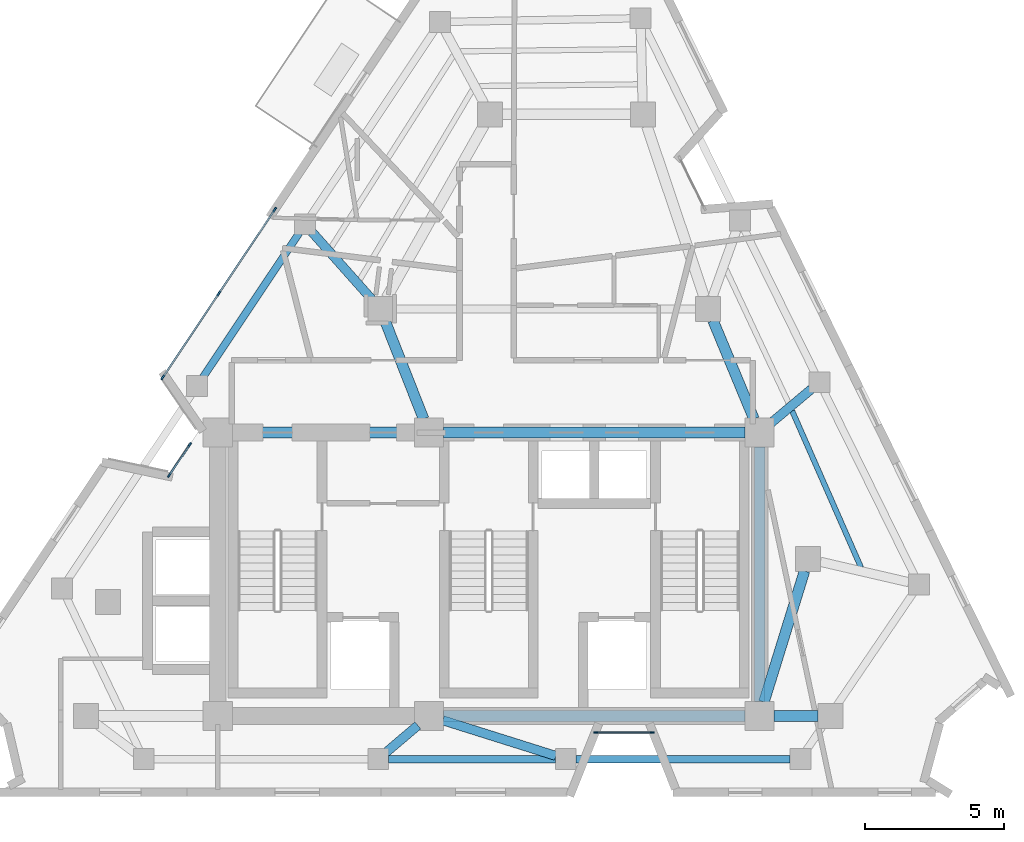
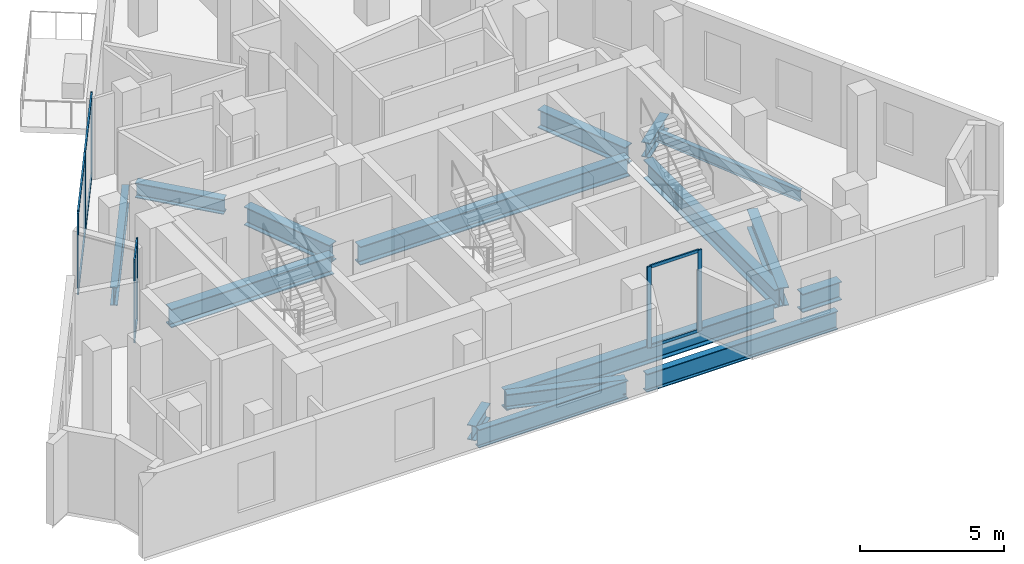
# One storey, part 2 of 8: 16 beams, 15 members, 3 elements without a shape of their own.
"""IFC4 building model written with IfcOpenShell, lengths in metres."""

from ifc_helpers import new_model, si_unit, direction, frame, origin, origin_2d, place, context, subcontext, project, spatial, rectangle, i_section, extrude, material, layer, layer_set, material_profile, profile_set, type_object, element, aggregate, save


model = new_model("IFC4")

# Units and contexts
model_context = context("Model", 3, precision=1e-05, world=origin(), true_north=direction((0.0, 1.0)))
body_context = subcontext(model_context, "Body", "Model", "MODEL_VIEW")
ifc_project = project(units=[si_unit("LENGTHUNIT", "METRE"), si_unit("AREAUNIT", "SQUARE_METRE"), si_unit("VOLUMEUNIT", "CUBIC_METRE"), si_unit("PLANEANGLEUNIT", "RADIAN"), si_unit("MASSUNIT", "GRAM", prefix="KILO")], contexts=[model_context])

# Site, building, storey
site_placement = place(None, origin())
site = spatial("IfcSite", under=ifc_project, at=site_placement, CompositionType="ELEMENT")
building_placement = place(site_placement, origin())
building = spatial("IfcBuilding", under=site, at=building_placement, Name="Almagre Mirador Tower", CompositionType="ELEMENT")
storey_placement = place(building_placement, frame((0.0, 0.0, 285.75)))
storey = spatial("IfcBuildingStorey", under=building, at=storey_placement, Name="L74", CompositionType="ELEMENT", Elevation=285.75)

# Beams
ifc_material_1 = material(Name="Steel ASTM A992 Grade 50", Category="steel")
ifc_material_profile_1 = material_profile(ifc_material_1, i_section(OverallWidth=0.19091796875, OverallDepth=0.4599609375, WebThickness=0.010009765625, FlangeThickness=0.01611328125, FilletRadius=0.01611328125, at=origin_2d()), Name="W18X55")
ifc_profile_set_1 = profile_set([ifc_material_profile_1], Name="Steel ASTM A992 Grade 50")
beam_type_1 = type_object("IfcBeamType", Name="BM-JST-W18X55", PredefinedType="JOIST", material=ifc_profile_set_1)
beam_1_placement = place(storey_placement, frame((50.698974609375, 9.896240234375, -0.47998046875), z_axis=(-0.402662796077, 0.915348388678, 0.0), x_axis=(-0.915348388678, -0.402662796077, 0.0)))
element("IfcBeam", 1, at=beam_1_placement, inside=storey, type_object=beam_type_1, Name="L74 secondary floor joist PC05-PC06.2", PredefinedType="JOIST", context=body_context, shape_type="SweptSolid", body=[
    extrude(i_section(OverallWidth=0.19091796875, OverallDepth=0.4599609375, WebThickness=0.010009765625, FlangeThickness=0.01611328125, FilletRadius=0.01611328125, at=origin_2d()), origin(), (0.0, 0.0, 1.0), 6.151123046875),
])
ifc_material_2 = material(Name="Steel ASTM A992 Grade 50", Category="steel")
ifc_material_profile_2 = material_profile(ifc_material_2, i_section(OverallWidth=0.26708984375, OverallDepth=0.779052734375, WebThickness=0.0166015625, FlangeThickness=0.030029296875, FilletRadius=0.02392578125, at=origin_2d()), Name="W30X148")
ifc_profile_set_2 = profile_set([ifc_material_profile_2], Name="Steel ASTM A992 Grade 50")
beam_type_2 = type_object("IfcBeamType", Name="BM-SPN-W30X148", PredefinedType="SPANDREL", material=ifc_profile_set_2)
beam_2_placement = place(storey_placement, frame((33.698974609375, 3.0, -0.639404296875), z_axis=(1.0, 0.0, 0.0), x_axis=(0.0, 1.0, 0.0)))
element("IfcBeam", 2, at=beam_2_placement, inside=storey, type_object=beam_type_2, Name="L74 perimeter spandrel beam PC02-PC03", PredefinedType="SPANDREL", context=body_context, shape_type="SweptSolid", body=[
    extrude(i_section(OverallWidth=0.26708984375, OverallDepth=0.779052734375, WebThickness=0.0166015625, FlangeThickness=0.030029296875, FilletRadius=0.02392578125, at=origin_2d()), origin(), (0.0, 0.0, 1.0), 6.001953125),
])
beam_3_placement = place(storey_placement, frame((40.450927734375, 3.0, -0.639404296875), z_axis=(1.0, 0.0, 0.0), x_axis=(0.0, 1.0, 0.0)))
element("IfcBeam", 3, at=beam_3_placement, inside=storey, type_object=beam_type_2, Name="L74 perimeter spandrel beam PC03-PC04", PredefinedType="SPANDREL", context=body_context, shape_type="SweptSolid", body=[
    extrude(i_section(OverallWidth=0.26708984375, OverallDepth=0.779052734375, WebThickness=0.0166015625, FlangeThickness=0.030029296875, FilletRadius=0.02392578125, at=origin_2d()), origin(), (0.0, 0.0, 1.0), 7.690185546875),
])
beam_4_placement = place(storey_placement, frame((30.48388671875, 21.93408203125, -0.639404296875), z_axis=(-0.555240722479, -0.831689689789, 0.0), x_axis=(0.831689689789, -0.555240722479, 0.0)))
element("IfcBeam", 4, at=beam_4_placement, inside=storey, type_object=beam_type_2, Name="L74 perimeter spandrel beam PC10-PC11", PredefinedType="SPANDREL", context=body_context, shape_type="SweptSolid", body=[
    extrude(i_section(OverallWidth=0.26708984375, OverallDepth=0.779052734375, WebThickness=0.0166015625, FlangeThickness=0.030029296875, FilletRadius=0.02392578125, at=origin_2d()), origin(), (0.0, 0.0, 1.0), 6.252685546875),
])
ifc_material_3 = material(Name="Steel ASTM A992 Grade 50", Category="steel")
ifc_material_profile_3 = material_profile(ifc_material_3, i_section(OverallWidth=0.330078125, OverallDepth=0.635009765625, WebThickness=0.017822265625, FlangeThickness=0.031005859375, FilletRadius=0.02001953125, at=origin_2d()), Name="W24X162")
ifc_profile_set_3 = profile_set([ifc_material_profile_3], Name="Steel ASTM A992 Grade 50")
beam_type_3 = type_object("IfcBeamType", Name="BM-STL-W24X162", PredefinedType="BEAM", material=ifc_profile_set_3)
beam_5_placement = place(storey_placement, frame((33.60986328125, 3.24267578125, -0.5673828125), z_axis=(0.762394394192, 0.647112654569, 0.0), x_axis=(-0.647112654569, 0.762394394192, 0.0)))
element("IfcBeam", 5, at=beam_5_placement, inside=storey, type_object=beam_type_3, Name="L74 radial floor girder PC02-CC2", PredefinedType="BEAM", context=body_context, shape_type="SweptSolid", body=[
    extrude(i_section(OverallWidth=0.330078125, OverallDepth=0.635009765625, WebThickness=0.017822265625, FlangeThickness=0.031005859375, FilletRadius=0.02001953125, at=origin_2d()), origin(), (0.0, 0.0, 1.0), 1.4951171875),
])
beam_6_placement = place(storey_placement, frame((39.71826171875, 3.112548828125, -0.5673828125), z_axis=(-0.953895402065, 0.300139237553, 0.0), x_axis=(-0.300139237553, -0.953895402065, 0.0)))
element("IfcBeam", 6, at=beam_6_placement, inside=storey, type_object=beam_type_3, Name="L74 radial floor girder PC03-CC2", PredefinedType="BEAM", context=body_context, shape_type="SweptSolid", body=[
    extrude(i_section(OverallWidth=0.330078125, OverallDepth=0.635009765625, WebThickness=0.017822265625, FlangeThickness=0.031005859375, FilletRadius=0.02001953125, at=origin_2d()), origin(), (0.0, 0.0, 1.0), 4.263916015625),
])
beam_7_placement = place(storey_placement, frame((48.917724609375, 16.31689453125, -0.5673828125), z_axis=(-0.766114512284, -0.642704095263, 0.0), x_axis=(0.642704095263, -0.766114512284, 0.0)))
element("IfcBeam", 7, at=beam_7_placement, inside=storey, type_object=beam_type_3, Name="L74 radial floor girder PC06-CC6", PredefinedType="BEAM", context=body_context, shape_type="SweptSolid", body=[
    extrude(i_section(OverallWidth=0.330078125, OverallDepth=0.635009765625, WebThickness=0.017822265625, FlangeThickness=0.031005859375, FilletRadius=0.02001953125, at=origin_2d()), origin(), (0.0, 0.0, 1.0), 1.9130859375),
])
beam_8_placement = place(storey_placement, frame((30.941162109375, 21.9658203125, -0.5673828125), z_axis=(0.664433759144, -0.747347161438, 0.0), x_axis=(0.747347161438, 0.664433759144, 0.0)))
element("IfcBeam", 8, at=beam_8_placement, inside=storey, type_object=beam_type_3, Name="L74 radial floor girder PC10-MC8", PredefinedType="BEAM", context=body_context, shape_type="SweptSolid", body=[
    extrude(i_section(OverallWidth=0.330078125, OverallDepth=0.635009765625, WebThickness=0.017822265625, FlangeThickness=0.031005859375, FilletRadius=0.02001953125, at=origin_2d()), origin(), (0.0, 0.0, 1.0), 3.250732421875),
])
ifc_material_4 = material(Name="Steel ASTM A992 Grade 50", Category="steel")
ifc_material_profile_4 = material_profile(ifc_material_4, i_section(OverallWidth=0.384033203125, OverallDepth=0.784912109375, WebThickness=0.019775390625, FlangeThickness=0.033447265625, FilletRadius=0.02392578125, at=origin_2d()), Name="W30X211")
ifc_profile_set_4 = profile_set([ifc_material_profile_4], Name="Steel ASTM A992 Grade 50")
beam_type_4 = type_object("IfcBeamType", Name="BM-STL-W30X211", PredefinedType="BEAM", material=ifc_profile_set_4)
beam_9_placement = place(storey_placement, frame((35.675048828125, 4.550048828125, -0.642578125), z_axis=(1.0, 0.0, 0.0), x_axis=(0.0, 1.0, 0.0)))
element("IfcBeam", 9, at=beam_9_placement, inside=storey, type_object=beam_type_4, Name="L74 core tie girder CC2-CC3", PredefinedType="BEAM", context=body_context, shape_type="SweptSolid", body=[
    extrude(i_section(OverallWidth=0.384033203125, OverallDepth=0.784912109375, WebThickness=0.019775390625, FlangeThickness=0.033447265625, FilletRadius=0.02392578125, at=origin_2d()), origin(), (0.0, 0.0, 1.0), 10.849853515625),
])
beam_10_placement = place(storey_placement, frame((28.074951171875, 14.75, -0.642578125), z_axis=(1.0, 0.0, 0.0), x_axis=(0.0, 1.0, 0.0)))
element("IfcBeam", 10, at=beam_10_placement, inside=storey, type_object=beam_type_4, Name="L74 core tie girder CC4-CC5", PredefinedType="BEAM", context=body_context, shape_type="SweptSolid", body=[
    extrude(i_section(OverallWidth=0.384033203125, OverallDepth=0.784912109375, WebThickness=0.019775390625, FlangeThickness=0.033447265625, FilletRadius=0.02392578125, at=origin_2d()), origin(), (0.0, 0.0, 1.0), 6.550048828125),
])
beam_11_placement = place(storey_placement, frame((35.675048828125, 14.75, -0.642578125), z_axis=(1.0, 0.0, 0.0), x_axis=(0.0, 1.0, 0.0)))
element("IfcBeam", 11, at=beam_11_placement, inside=storey, type_object=beam_type_4, Name="L74 core tie girder CC5-CC6", PredefinedType="BEAM", context=body_context, shape_type="SweptSolid", body=[
    extrude(i_section(OverallWidth=0.384033203125, OverallDepth=0.784912109375, WebThickness=0.019775390625, FlangeThickness=0.033447265625, FilletRadius=0.02392578125, at=origin_2d()), origin(), (0.0, 0.0, 1.0), 10.849853515625),
])
beam_12_placement = place(storey_placement, frame((47.050048828125, 5.074951171875, -0.642578125), z_axis=(0.0, 1.0, 0.0), x_axis=(-1.0, 0.0, 0.0)))
element("IfcBeam", 12, at=beam_12_placement, inside=storey, type_object=beam_type_4, Name="L74 core tie girder CC3-CC6", PredefinedType="BEAM", context=body_context, shape_type="SweptSolid", body=[
    extrude(i_section(OverallWidth=0.384033203125, OverallDepth=0.784912109375, WebThickness=0.019775390625, FlangeThickness=0.033447265625, FilletRadius=0.02392578125, at=origin_2d()), origin(), (0.0, 0.0, 1.0), 9.150146484375),
])
beam_13_placement = place(storey_placement, frame((49.14990234375, 4.550048828125, -0.642578125), z_axis=(-1.0, 0.0, 0.0), x_axis=(0.0, -1.0, 0.0)))
element("IfcBeam", 13, at=beam_13_placement, inside=storey, type_object=beam_type_4, Name="L74 core tie girder MC2-CC3", PredefinedType="BEAM", context=body_context, shape_type="SweptSolid", body=[
    extrude(i_section(OverallWidth=0.384033203125, OverallDepth=0.784912109375, WebThickness=0.019775390625, FlangeThickness=0.033447265625, FilletRadius=0.02392578125, at=origin_2d()), origin(), (0.0, 0.0, 1.0), 1.574951171875),
])
beam_14_placement = place(storey_placement, frame((48.6669921875, 9.77001953125, -0.642578125), z_axis=(-0.295901717967, -0.955218390372, 0.0), x_axis=(0.955218390372, -0.295901717967, 0.0)))
element("IfcBeam", 14, at=beam_14_placement, inside=storey, type_object=beam_type_4, Name="L74 core tie girder MC3-CC3", PredefinedType="BEAM", context=body_context, shape_type="SweptSolid", body=[
    extrude(i_section(OverallWidth=0.384033203125, OverallDepth=0.784912109375, WebThickness=0.019775390625, FlangeThickness=0.033447265625, FilletRadius=0.02392578125, at=origin_2d()), origin(), (0.0, 0.0, 1.0), 4.939697265625),
])
beam_15_placement = place(storey_placement, frame((45.372802734375, 18.784423828125, -0.642578125), z_axis=(0.383862140668, -0.923390414159, 0.0), x_axis=(0.923390414159, 0.383862140668, 0.0)))
element("IfcBeam", 15, at=beam_15_placement, inside=storey, type_object=beam_type_4, Name="L74 core tie girder MC5-CC6", PredefinedType="BEAM", context=body_context, shape_type="SweptSolid", body=[
    extrude(i_section(OverallWidth=0.384033203125, OverallDepth=0.784912109375, WebThickness=0.019775390625, FlangeThickness=0.033447265625, FilletRadius=0.02392578125, at=origin_2d()), origin(), (0.0, 0.0, 1.0), 3.843994140625),
])
beam_16_placement = place(storey_placement, frame((33.564697265625, 18.78125, -0.642578125), z_axis=(0.365999579355, -0.93061501595, 0.0), x_axis=(0.93061501595, 0.365999579355, 0.0)))
element("IfcBeam", 16, at=beam_16_placement, inside=storey, type_object=beam_type_4, Name="L74 core tie girder MC8-CC5", PredefinedType="BEAM", context=body_context, shape_type="SweptSolid", body=[
    extrude(i_section(OverallWidth=0.384033203125, OverallDepth=0.784912109375, WebThickness=0.019775390625, FlangeThickness=0.033447265625, FilletRadius=0.02392578125, at=origin_2d()), origin(), (0.0, 0.0, 1.0), 3.806884765625),
])

# Curtain wall, members
ifc_material_5 = material(Name="Black anodized aluminium", Category="aluminium")
ifc_layer_1 = layer(ifc_material_5, 0.169921875)
ifc_layer_set_1 = layer_set([ifc_layer_1], Name="Black anodized aluminium")
curtain_wall_type_1 = type_object("IfcCurtainWallType", Name="CW-CRS-SYS", PredefinedType="NOTDEFINED", material=ifc_layer_set_1)
curtain_wall_1_placement = place(storey_placement, origin())
curtain_wall_1 = element("IfcCurtainWall", 17, at=curtain_wall_1_placement, inside=storey, type_object=curtain_wall_type_1, Name="L74 vertical crease curtain wall 01", PredefinedType="NOTDEFINED")
ifc_material_6 = material(Name="Black anodized aluminium", Category="aluminium")
ifc_material_profile_5 = material_profile(ifc_material_6, rectangle(XDim=0.06005859375, YDim=0.14990234375, at=origin_2d()), Name="CWM60X150")
ifc_profile_set_5 = profile_set([ifc_material_profile_5], Name="Black anodized aluminium")
member_type_1 = type_object("IfcMemberType", Name="MBR-CWM60X150", PredefinedType="MULLION", material=ifc_profile_set_5)
member_1_placement = place(storey_placement, frame((25.797607421875, 13.202880859375, 0.0), z_axis=(0.0, 0.0, 1.0), x_axis=(-0.83177636433, 0.555110871577, 0.0)))
member_1 = element("IfcMember", 18, at=member_1_placement, type_object=member_type_1, Name="CW-4 mullion 1", PredefinedType="MULLION", context=body_context, shape_type="SweptSolid", body=[
    extrude(rectangle(XDim=0.06005859375, YDim=0.14990234375, at=origin_2d()), origin(), (0.0, 0.0, 1.0), 3.449951171875),
])
member_2_placement = place(storey_placement, frame((26.5439453125, 14.3212890625, 0.0), z_axis=(0.0, 0.0, 1.0), x_axis=(-0.83177636433, 0.555110871577, 0.0)))
member_2 = element("IfcMember", 19, at=member_2_placement, type_object=member_type_1, Name="CW-4 mullion 2", PredefinedType="MULLION", context=body_context, shape_type="SweptSolid", body=[
    extrude(rectangle(XDim=0.06005859375, YDim=0.14990234375, at=origin_2d()), origin(), (0.0, 0.0, 1.0), 3.449951171875),
])

curtain_wall_2_placement = place(storey_placement, origin())
curtain_wall_2 = element("IfcCurtainWall", 20, at=curtain_wall_2_placement, inside=storey, type_object=curtain_wall_type_1, Name="L74 vertical crease curtain wall 04", PredefinedType="NOTDEFINED")
member_3_placement = place(storey_placement, frame((43.18701171875, 3.949951171875, 0.0), z_axis=(0.0, 0.0, 1.0), x_axis=(0.0, -1.0, 0.0)))
member_3 = element("IfcMember", 21, at=member_3_placement, type_object=member_type_1, Name="CW-4 mullion 1", PredefinedType="MULLION", context=body_context, shape_type="SweptSolid", body=[
    extrude(rectangle(XDim=0.06005859375, YDim=0.14990234375, at=origin_2d()), origin(), (0.0, 0.0, 1.0), 3.449951171875),
])
member_4_placement = place(storey_placement, frame((41.156982421875, 3.949951171875, 0.0), z_axis=(0.0, 0.0, 1.0), x_axis=(0.0, -1.0, 0.0)))
member_4 = element("IfcMember", 22, at=member_4_placement, type_object=member_type_1, Name="CW-4 mullion 2", PredefinedType="MULLION", context=body_context, shape_type="SweptSolid", body=[
    extrude(rectangle(XDim=0.06005859375, YDim=0.14990234375, at=origin_2d()), origin(), (0.0, 0.0, 1.0), 3.449951171875),
])

ifc_material_7 = material(Name="Black anodized aluminium", Category="aluminium")
ifc_layer_2 = layer(ifc_material_7, 0.199951171875)
ifc_layer_set_2 = layer_set([ifc_layer_2], Name="Black anodized aluminium")
curtain_wall_type_2 = type_object("IfcCurtainWallType", Name="CW-RES-H-SYS", PredefinedType="NOTDEFINED", material=ifc_layer_set_2)
curtain_wall_3_placement = place(storey_placement, origin())
curtain_wall_3 = element("IfcCurtainWall", 23, at=curtain_wall_3_placement, inside=storey, type_object=curtain_wall_type_2, Name="L74 curtain wall run 02", PredefinedType="NOTDEFINED")
ifc_material_8 = material(Name="Black anodized aluminium", Category="aluminium")
ifc_material_profile_6 = material_profile(ifc_material_8, rectangle(XDim=0.06494140625, YDim=0.179931640625, at=origin_2d()), Name="CWM65X180")
ifc_profile_set_6 = profile_set([ifc_material_profile_6], Name="Black anodized aluminium")
member_type_2 = type_object("IfcMemberType", Name="MBR-CWM65X180", PredefinedType="MULLION", material=ifc_profile_set_6)
member_5_placement = place(storey_placement, frame((25.568359375, 16.731689453125, 0.0), z_axis=(0.0, 0.0, 1.0), x_axis=(-0.831701635809, 0.555222828235, 0.0)))
member_5 = element("IfcMember", 24, at=member_5_placement, type_object=member_type_2, Name="CW-3 mullion 1", PredefinedType="MULLION", context=body_context, shape_type="SweptSolid", body=[
    extrude(rectangle(XDim=0.06494140625, YDim=0.179931640625, at=origin_2d()), origin(), (0.0, 0.0, 1.0), 3.449951171875),
])
member_6_placement = place(storey_placement, frame((27.584716796875, 19.751953125, 0.0), z_axis=(0.0, 0.0, 1.0), x_axis=(-0.831701635809, 0.555222828235, 0.0)))
member_6 = element("IfcMember", 25, at=member_6_placement, type_object=member_type_2, Name="CW-3 mullion 2", PredefinedType="MULLION", context=body_context, shape_type="SweptSolid", body=[
    extrude(rectangle(XDim=0.06494140625, YDim=0.179931640625, at=origin_2d()), origin(), (0.0, 0.0, 1.0), 3.449951171875),
])
member_7_placement = place(storey_placement, frame((29.60107421875, 22.7724609375, 0.0), z_axis=(0.0, 0.0, 1.0), x_axis=(-0.831701635809, 0.555222828235, 0.0)))
member_7 = element("IfcMember", 26, at=member_7_placement, type_object=member_type_2, Name="CW-3 mullion 3", PredefinedType="MULLION", context=body_context, shape_type="SweptSolid", body=[
    extrude(rectangle(XDim=0.06494140625, YDim=0.179931640625, at=origin_2d()), origin(), (0.0, 0.0, 1.0), 3.449951171875),
])

# Member
ifc_material_9 = material(Name="Black anodized aluminium", Category="aluminium")
ifc_material_profile_7 = material_profile(ifc_material_9, rectangle(XDim=0.06005859375, YDim=0.1298828125, at=origin_2d()), Name="CWT60X130")
ifc_profile_set_7 = profile_set([ifc_material_profile_7], Name="Black anodized aluminium")
member_type_3 = type_object("IfcMemberType", Name="MBR-CWT60X130", PredefinedType="USERDEFINED", material=ifc_profile_set_7)
member_8_placement = place(storey_placement, frame((25.814208984375, 13.22802734375, 0.030029296875), z_axis=(0.555182578019, 0.83172850442, 0.0), x_axis=(-0.83172850442, 0.555182578019, 0.0)))
member_8 = element("IfcMember", 27, at=member_8_placement, type_object=member_type_3, Name="CW-4 transom 1.1", ObjectType="TRANSOM", PredefinedType="USERDEFINED", context=body_context, shape_type="SweptSolid", body=[
    extrude(rectangle(XDim=0.06005859375, YDim=0.1298828125, at=origin_2d()), origin(), (0.0, 0.0, 1.0), 1.284423828125),
])

member_9_placement = place(storey_placement, frame((25.814208984375, 13.22802734375, 3.419921875), z_axis=(0.555182578019, 0.83172850442, 0.0), x_axis=(-0.83172850442, 0.555182578019, 0.0)))
member_9 = element("IfcMember", 28, at=member_9_placement, type_object=member_type_3, Name="CW-4 transom 1.2", ObjectType="TRANSOM", PredefinedType="USERDEFINED", context=body_context, shape_type="SweptSolid", body=[
    extrude(rectangle(XDim=0.06005859375, YDim=0.1298828125, at=origin_2d()), origin(), (0.0, 0.0, 1.0), 1.284423828125),
])

aggregate(curtain_wall_1, [member_1, member_2, member_8, member_9])

member_10_placement = place(storey_placement, frame((43.156982421875, 3.949951171875, 0.030029296875), z_axis=(-1.0, 0.0, 0.0), x_axis=(0.0, -1.0, 0.0)))
member_10 = element("IfcMember", 29, at=member_10_placement, type_object=member_type_3, Name="CW-4 transom 1.1", ObjectType="TRANSOM", PredefinedType="USERDEFINED", context=body_context, shape_type="SweptSolid", body=[
    extrude(rectangle(XDim=0.06005859375, YDim=0.1298828125, at=origin_2d()), origin(), (0.0, 0.0, 1.0), 1.969970703125),
])

member_11_placement = place(storey_placement, frame((43.156982421875, 3.949951171875, 3.419921875), z_axis=(-1.0, 0.0, 0.0), x_axis=(0.0, -1.0, 0.0)))
member_11 = element("IfcMember", 30, at=member_11_placement, type_object=member_type_3, Name="CW-4 transom 1.2", ObjectType="TRANSOM", PredefinedType="USERDEFINED", context=body_context, shape_type="SweptSolid", body=[
    extrude(rectangle(XDim=0.06005859375, YDim=0.1298828125, at=origin_2d()), origin(), (0.0, 0.0, 1.0), 1.969970703125),
])

aggregate(curtain_wall_2, [member_3, member_4, member_10, member_11])

ifc_material_10 = material(Name="Black anodized aluminium", Category="aluminium")
ifc_material_profile_8 = material_profile(ifc_material_10, rectangle(XDim=0.06494140625, YDim=0.14990234375, at=origin_2d()), Name="CWT65X150")
ifc_profile_set_8 = profile_set([ifc_material_profile_8], Name="Black anodized aluminium")
member_type_4 = type_object("IfcMemberType", Name="MBR-CWT65X150", PredefinedType="USERDEFINED", material=ifc_profile_set_8)
member_12_placement = place(storey_placement, frame((25.58642578125, 16.758544921875, 0.032470703125), z_axis=(0.555189773723, 0.831723701209, 0.0), x_axis=(-0.831723701209, 0.555189773723, 0.0)))
member_12 = element("IfcMember", 31, at=member_12_placement, type_object=member_type_4, Name="CW-3 transom 1.1", ObjectType="TRANSOM", PredefinedType="USERDEFINED", context=body_context, shape_type="SweptSolid", body=[
    extrude(rectangle(XDim=0.06494140625, YDim=0.14990234375, at=origin_2d()), origin(), (0.0, 0.0, 1.0), 3.566650390625),
])

member_13_placement = place(storey_placement, frame((25.58642578125, 16.758544921875, 3.41748046875), z_axis=(0.555189773723, 0.831723701209, 0.0), x_axis=(-0.831723701209, 0.555189773723, 0.0)))
member_13 = element("IfcMember", 32, at=member_13_placement, type_object=member_type_4, Name="CW-3 transom 1.2", ObjectType="TRANSOM", PredefinedType="USERDEFINED", context=body_context, shape_type="SweptSolid", body=[
    extrude(rectangle(XDim=0.06494140625, YDim=0.14990234375, at=origin_2d()), origin(), (0.0, 0.0, 1.0), 3.566650390625),
])

member_14_placement = place(storey_placement, frame((27.602783203125, 19.779052734375, 0.032470703125), z_axis=(0.555221382436, 0.831702600986, 0.0), x_axis=(-0.831702600986, 0.555221382436, 0.0)))
member_14 = element("IfcMember", 33, at=member_14_placement, type_object=member_type_4, Name="CW-3 transom 2.1", ObjectType="TRANSOM", PredefinedType="USERDEFINED", context=body_context, shape_type="SweptSolid", body=[
    extrude(rectangle(XDim=0.06494140625, YDim=0.14990234375, at=origin_2d()), origin(), (0.0, 0.0, 1.0), 3.566650390625),
])

member_15_placement = place(storey_placement, frame((27.602783203125, 19.779052734375, 3.41748046875), z_axis=(0.555221382436, 0.831702600986, 0.0), x_axis=(-0.831702600986, 0.555221382436, 0.0)))
member_15 = element("IfcMember", 34, at=member_15_placement, type_object=member_type_4, Name="CW-3 transom 2.2", ObjectType="TRANSOM", PredefinedType="USERDEFINED", context=body_context, shape_type="SweptSolid", body=[
    extrude(rectangle(XDim=0.06494140625, YDim=0.14990234375, at=origin_2d()), origin(), (0.0, 0.0, 1.0), 3.566650390625),
])

aggregate(curtain_wall_3, [member_5, member_6, member_7, member_12, member_13, member_14, member_15])

save(model, "model.ifc")
